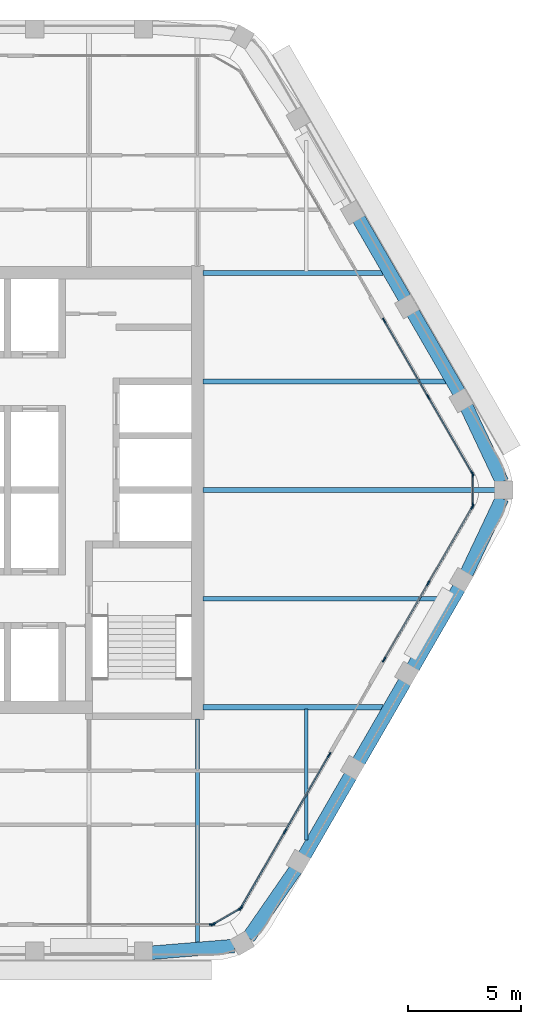
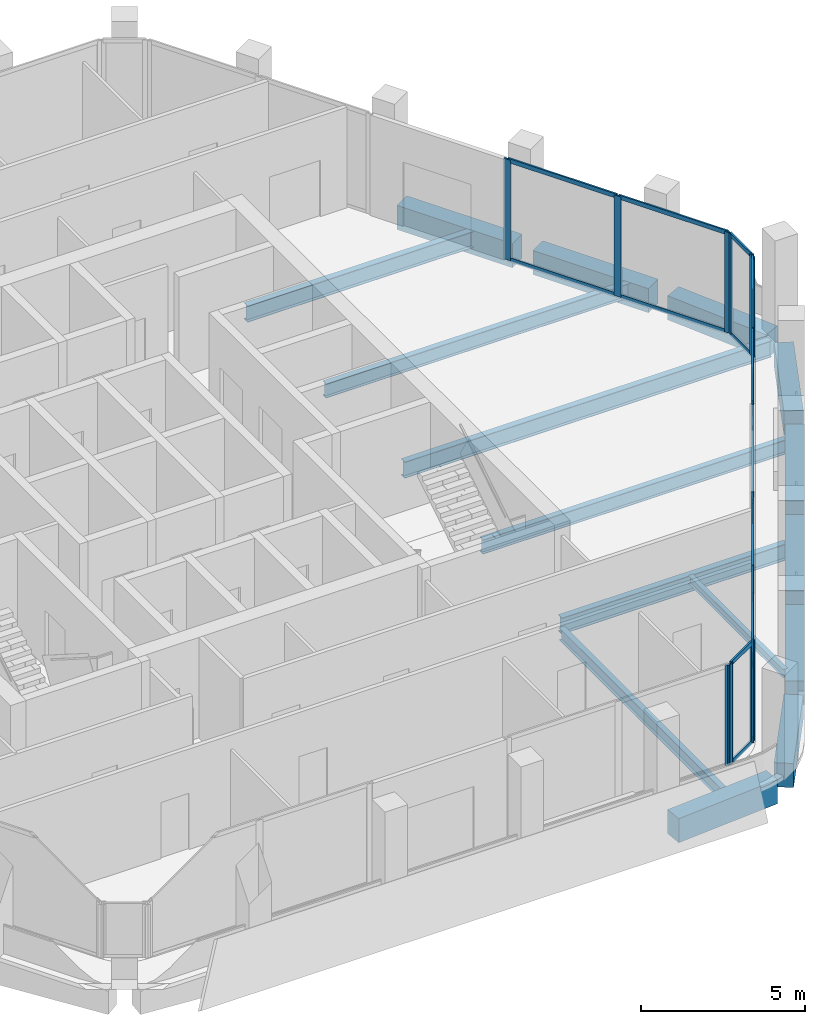
# One storey, part 4 of 14: 30 members, 16 beams, 6 elements without a shape of their own.
"""IFC4 building model written with IfcOpenShell, lengths in metres."""

from ifc_helpers import new_model, si_unit, direction, frame, origin, origin_2d, place, context, subcontext, project, spatial, rectangle, i_section, extrude, material, material_profile, profile_set, type_object, element, aggregate, save


model = new_model("IFC4")

# Units and contexts
model_context = context("Model", 3, precision=1e-05, world=origin(), true_north=direction((0.0, 1.0)))
body_context = subcontext(model_context, "Body", "Model", "MODEL_VIEW")
ifc_project = project(units=[si_unit("LENGTHUNIT", "METRE"), si_unit("AREAUNIT", "SQUARE_METRE"), si_unit("VOLUMEUNIT", "CUBIC_METRE"), si_unit("PLANEANGLEUNIT", "RADIAN"), si_unit("MASSUNIT", "GRAM", prefix="KILO")], contexts=[model_context])

# Site, building, storey
site_placement = place(None, origin())
site = spatial("IfcSite", under=ifc_project, at=site_placement, CompositionType="ELEMENT")
building_placement = place(site_placement, origin())
building = spatial("IfcBuilding", under=site, at=building_placement, Name="Kolab Exchange Tower", CompositionType="ELEMENT")
storey_placement = place(building_placement, frame((0.0, 0.0, 246.199951171875)))
storey = spatial("IfcBuildingStorey", under=building, at=storey_placement, Name="L54", CompositionType="ELEMENT", Elevation=246.199951171875)

# Beams
ifc_material_1 = material(Name="Steel S355", Category="steel")
ifc_material_profile_1 = material_profile(ifc_material_1, i_section(OverallWidth=0.1650390625, OverallDepth=0.31005859375, WebThickness=0.005859375, FlangeThickness=0.009765625, at=origin_2d()), Name="W310X39")
ifc_profile_set_1 = profile_set([ifc_material_profile_1], Name="Steel S355")
beam_type_1 = type_object("IfcBeamType", Name="FLOOR BEAM W310X39", PredefinedType="BEAM", material=ifc_profile_set_1)
beam_1_placement = place(storey_placement, frame((14.39990234375, -15.4677734375, -0.304931640625), z_axis=(0.0, 1.0, 0.0), x_axis=(-1.0, 0.0, 0.0)))
element("IfcBeam", 1, at=beam_1_placement, inside=storey, type_object=beam_type_1, Name="beam/L54/fr/018", PredefinedType="BEAM", context=body_context, shape_type="SweptSolid", body=[
    extrude(i_section(OverallWidth=0.1650390625, OverallDepth=0.31005859375, WebThickness=0.005859375, FlangeThickness=0.009765625, at=origin_2d()), origin(), (0.0, 0.0, 1.0), 5.793701171875),
])
ifc_material_profile_2 = material_profile(ifc_material_1, i_section(OverallWidth=0.18994140625, OverallDepth=0.45703125, WebThickness=0.009033203125, FlangeThickness=0.014404296875, at=origin_2d()), Name="W460X74")
ifc_profile_set_2 = profile_set([ifc_material_profile_2], Name="Steel S355")
beam_type_2 = type_object("IfcBeamType", Name="FLOOR BEAM W460X74", PredefinedType="BEAM", material=ifc_profile_set_2)
beam_2_placement = place(storey_placement, frame((9.60009765625, -20.027099609375, -0.37841796875), z_axis=(0.0, 1.0, 0.0), x_axis=(-1.0, 0.0, 0.0)))
element("IfcBeam", 2, at=beam_2_placement, inside=storey, type_object=beam_type_2, Name="beam/L54/fr/013", PredefinedType="BEAM", context=body_context, shape_type="SweptSolid", body=[
    extrude(i_section(OverallWidth=0.18994140625, OverallDepth=0.45703125, WebThickness=0.009033203125, FlangeThickness=0.014404296875, at=origin_2d()), origin(), (0.0, 0.0, 1.0), 9.9169921875),
])
ifc_material_profile_3 = material_profile(ifc_material_1, i_section(OverallWidth=0.208984375, OverallDepth=0.532958984375, WebThickness=0.01025390625, FlangeThickness=0.015625, at=origin_2d()), Name="W530X92")
ifc_profile_set_3 = profile_set([ifc_material_profile_3], Name="Steel S355")
beam_type_3 = type_object("IfcBeamType", Name="FLOOR BEAM W530X92", PredefinedType="BEAM", material=ifc_profile_set_3)
for number, where, z_axis, x_axis, name in (
    (3, (9.8349609375, -4.800048828125, -0.41650390625), (1.0, 0.0, 0.0), (0.0, 1.0, 0.0), "beam/L54/fr/015"),
    (4, (9.8349609375, 4.800048828125, -0.41650390625), (1.0, 0.0, 0.0), (0.0, 1.0, 0.0), "beam/L54/fr/017"),
):
    element("IfcBeam", number, at=place(storey_placement, frame(where, z_axis=z_axis, x_axis=x_axis)), inside=storey, type_object=beam_type_3, Name=name, PredefinedType="BEAM", context=body_context, shape_type="SweptSolid", body=[
        extrude(i_section(OverallWidth=0.208984375, OverallDepth=0.532958984375, WebThickness=0.01025390625, FlangeThickness=0.015625, at=origin_2d()), origin(), (0.0, 0.0, 1.0), 10.740966796875),
    ])
ifc_material_profile_4 = material_profile(ifc_material_1, i_section(OverallWidth=0.22802734375, OverallDepth=0.60791015625, WebThickness=0.01123046875, FlangeThickness=0.017333984375, at=origin_2d()), Name="W610X113")
ifc_profile_set_4 = profile_set([ifc_material_profile_4], Name="Steel S355")
beam_type_4 = type_object("IfcBeamType", Name="FLOOR BEAM W610X113", PredefinedType="BEAM", material=ifc_profile_set_4)
beam_3_placement = place(storey_placement, frame((9.8349609375, 0.0, -0.453857421875), z_axis=(1.0, 0.0, 0.0), x_axis=(0.0, 1.0, 0.0)))
element("IfcBeam", 5, at=beam_3_placement, inside=storey, type_object=beam_type_4, Name="beam/L54/fr/016", PredefinedType="BEAM", context=body_context, shape_type="SweptSolid", body=[
    extrude(i_section(OverallWidth=0.22802734375, OverallDepth=0.60791015625, WebThickness=0.01123046875, FlangeThickness=0.017333984375, at=origin_2d()), origin(), (0.0, 0.0, 1.0), 12.94091796875),
])
ifc_material_profile_5 = material_profile(ifc_material_1, i_section(OverallWidth=0.22802734375, OverallDepth=0.60791015625, WebThickness=0.01123046875, FlangeThickness=0.017333984375, at=origin_2d()), Name="W610X113")
ifc_profile_set_5 = profile_set([ifc_material_profile_5], Name="Steel S355")
beam_type_5 = type_object("IfcBeamType", Name="FLOOR GIRDER W610X113", PredefinedType="BEAM", material=ifc_profile_set_5)
for number, where, z_axis, x_axis, name in (
    (6, (9.8349609375, -9.60009765625, -0.453857421875), (1.0, 0.0, 0.0), (0.0, 1.0, 0.0), "beam/L54/gd/002"),
    (7, (9.8349609375, 9.60009765625, -0.453857421875), (1.0, 0.0, 0.0), (0.0, 1.0, 0.0), "beam/L54/gd/003"),
):
    element("IfcBeam", number, at=place(storey_placement, frame(where, z_axis=z_axis, x_axis=x_axis)), inside=storey, type_object=beam_type_5, Name=name, PredefinedType="BEAM", context=body_context, shape_type="SweptSolid", body=[
        extrude(i_section(OverallWidth=0.22802734375, OverallDepth=0.60791015625, WebThickness=0.01123046875, FlangeThickness=0.017333984375, at=origin_2d()), origin(), (0.0, 0.0, 1.0), 7.9697265625),
    ])
ifc_material_2 = material(Name="Concrete C50/60", Category="concrete")
ifc_material_profile_6 = material_profile(ifc_material_2, rectangle(XDim=0.60009765625, YDim=0.89990234375, at=origin_2d()), Name="RC600X900")
ifc_profile_set_6 = profile_set([ifc_material_profile_6], Name="Concrete C50/60")
beam_type_6 = type_object("IfcBeamType", Name="SPANDREL BEAM 600X900 C50/60", PredefinedType="BEAM", material=ifc_profile_set_6)
for number, where, z_axis, x_axis, name in (
    (8, (16.72021484375, 12.009033203125, -0.599853515625), (0.500000428765, -0.866025156237, 0.0), (0.866025156237, 0.500000428765, 0.0), "beam/L54/sp/F2-03"),
    (9, (19.1201171875, 7.85205078125, -0.599853515625), (0.500000428765, -0.866025156237, 0.0), (0.866025156237, 0.500000428765, 0.0), "beam/L54/sp/F2-04"),
):
    element("IfcBeam", number, at=place(storey_placement, frame(where, z_axis=z_axis, x_axis=x_axis)), inside=storey, type_object=beam_type_6, Name=name, PredefinedType="BEAM", context=body_context, shape_type="SweptSolid", body=[
        extrude(rectangle(XDim=0.60009765625, YDim=0.89990234375, at=origin_2d()), origin(), (0.0, 0.0, 1.0), 4.080078125),
    ])
for number, where, z_axis, x_axis, name in (
    (10, (21.49462890625, 3.68017578125, -0.599853515625), (0.427677251998, -0.903931506323, 0.0), (0.903931506323, 0.427677251998, 0.0), "beam/L54/sp/F2-05"),
    (11, (23.063720703125, -0.36376953125, -0.599853515625), (-0.427677251998, -0.903931506323, 0.0), (0.903931506323, -0.427677251998, 0.0), "beam/L54/sp/F3-01"),
):
    element("IfcBeam", number, at=place(storey_placement, frame(where, z_axis=z_axis, x_axis=x_axis)), inside=storey, type_object=beam_type_6, Name=name, PredefinedType="BEAM", context=body_context, shape_type="SweptSolid", body=[
        extrude(rectangle(XDim=0.60009765625, YDim=0.89990234375, at=origin_2d()), origin(), (0.0, 0.0, 1.0), 3.6689453125),
    ])
for number, where, z_axis, x_axis, name in (
    (12, (21.16015625, -4.318603515625, -0.599853515625), (-0.500000428765, -0.866025156237, 0.0), (0.866025156237, -0.500000428765, 0.0), "beam/L54/sp/F3-02"),
    (13, (18.76025390625, -8.4755859375, -0.599853515625), (-0.500000428765, -0.866025156237, 0.0), (0.866025156237, -0.500000428765, 0.0), "beam/L54/sp/F3-03"),
):
    element("IfcBeam", number, at=place(storey_placement, frame(where, z_axis=z_axis, x_axis=x_axis)), inside=storey, type_object=beam_type_6, Name=name, PredefinedType="BEAM", context=body_context, shape_type="SweptSolid", body=[
        extrude(rectangle(XDim=0.60009765625, YDim=0.89990234375, at=origin_2d()), origin(), (0.0, 0.0, 1.0), 4.080078125),
    ])
beam_4_placement = place(storey_placement, frame((16.360107421875, -12.632568359375, -0.599853515625), z_axis=(-0.499955548806, -0.866051066172, 0.0), x_axis=(0.866051066172, -0.499955548806, 0.0)))
element("IfcBeam", 14, at=beam_4_placement, inside=storey, type_object=beam_type_6, Name="beam/L54/sp/F3-04", PredefinedType="BEAM", context=body_context, shape_type="SweptSolid", body=[
    extrude(rectangle(XDim=0.60009765625, YDim=0.89990234375, at=origin_2d()), origin(), (0.0, 0.0, 1.0), 4.079833984375),
])
for number, where, z_axis, x_axis, name in (
    (15, (13.9345703125, -16.77490234375, -0.599853515625), (-0.569005808573, -0.822333502789, 0.0), (0.822333502789, -0.569005808573, 0.0), "beam/L54/sp/F3-05"),
    (16, (11.216796875, -20.15576171875, -0.599853515625), (-0.996666751878, -0.081580547323, 0.0), (0.081580547323, -0.996666751878, 0.0), "beam/L54/sp/F4-01"),
):
    element("IfcBeam", number, at=place(storey_placement, frame(where, z_axis=z_axis, x_axis=x_axis)), inside=storey, type_object=beam_type_6, Name=name, PredefinedType="BEAM", context=body_context, shape_type="SweptSolid", body=[
        extrude(rectangle(XDim=0.60009765625, YDim=0.89990234375, at=origin_2d()), origin(), (0.0, 0.0, 1.0), 3.6689453125),
    ])

# Curtain wall, members
ifc_material_3 = material(Name="Aluminium EN AW-6063 T6", Category="aluminium")
curtain_wall_type = type_object("IfcCurtainWallType", Name="UNITISED HIGH ZONE CURTAIN WALL", PredefinedType="NOTDEFINED", material=ifc_material_3)
curtain_wall_1_placement = place(storey_placement, origin())
curtain_wall_1 = element("IfcCurtainWall", 17, at=curtain_wall_1_placement, inside=storey, type_object=curtain_wall_type, Name="cw/L54/F2-2", PredefinedType="NOTDEFINED")
ifc_material_profile_7 = material_profile(ifc_material_3, rectangle(XDim=0.06005859375, YDim=0.239990234375, at=origin_2d()), Name="RECT 60X240")
ifc_profile_set_7 = profile_set([ifc_material_profile_7], Name="Aluminium EN AW-6063 T6")
member_type_1 = type_object("IfcMemberType", Name="UNITISED HIGH ZONE MULLION 60 X 240", PredefinedType="MULLION", material=ifc_profile_set_7)
member_1_placement = place(storey_placement, frame((17.8466796875, 7.497802734375, 0.0), z_axis=(0.0, 0.0, 1.0), x_axis=(0.866025440524, 0.499999936366, 0.0)))
member_1 = element("IfcMember", 18, at=member_1_placement, type_object=member_type_1, Name="CW4 mullion 1", PredefinedType="MULLION", context=body_context, shape_type="SweptSolid", body=[
    extrude(rectangle(XDim=0.06005859375, YDim=0.239990234375, at=origin_2d()), origin(), (0.0, 0.0, 1.0), 3.75),
])
member_2_placement = place(storey_placement, frame((19.798583984375, 4.116943359375, 0.0), z_axis=(0.0, 0.0, 1.0), x_axis=(0.866025440524, 0.499999936366, 0.0)))
member_2 = element("IfcMember", 19, at=member_2_placement, type_object=member_type_1, Name="CW4 mullion 2", PredefinedType="MULLION", context=body_context, shape_type="SweptSolid", body=[
    extrude(rectangle(XDim=0.06005859375, YDim=0.239990234375, at=origin_2d()), origin(), (0.0, 0.0, 1.0), 3.75),
])
member_3_placement = place(storey_placement, frame((21.750732421875, 0.736083984375, 0.0), z_axis=(0.0, 0.0, 1.0), x_axis=(0.866025440524, 0.499999936366, 0.0)))
member_3 = element("IfcMember", 20, at=member_3_placement, type_object=member_type_1, Name="CW4 mullion 3", PredefinedType="MULLION", context=body_context, shape_type="SweptSolid", body=[
    extrude(rectangle(XDim=0.06005859375, YDim=0.239990234375, at=origin_2d()), origin(), (0.0, 0.0, 1.0), 3.75),
])

curtain_wall_2_placement = place(storey_placement, origin())
curtain_wall_2 = element("IfcCurtainWall", 21, at=curtain_wall_2_placement, inside=storey, type_object=curtain_wall_type, Name="cw/L54/F3-1", PredefinedType="NOTDEFINED")
member_4_placement = place(storey_placement, frame((21.750732421875, -0.736083984375, 0.0), z_axis=(0.0, 0.0, 1.0), x_axis=(0.866025440524, -0.499999936366, 0.0)))
member_4 = element("IfcMember", 22, at=member_4_placement, type_object=member_type_1, Name="CW4 mullion 1", PredefinedType="MULLION", context=body_context, shape_type="SweptSolid", body=[
    extrude(rectangle(XDim=0.06005859375, YDim=0.239990234375, at=origin_2d()), origin(), (0.0, 0.0, 1.0), 3.75),
])
member_5_placement = place(storey_placement, frame((19.798583984375, -4.116943359375, 0.0), z_axis=(0.0, 0.0, 1.0), x_axis=(0.866025440524, -0.499999936366, 0.0)))
member_5 = element("IfcMember", 23, at=member_5_placement, type_object=member_type_1, Name="CW4 mullion 2", PredefinedType="MULLION", context=body_context, shape_type="SweptSolid", body=[
    extrude(rectangle(XDim=0.06005859375, YDim=0.239990234375, at=origin_2d()), origin(), (0.0, 0.0, 1.0), 3.75),
])
member_6_placement = place(storey_placement, frame((17.8466796875, -7.497802734375, 0.0), z_axis=(0.0, 0.0, 1.0), x_axis=(0.866025440524, -0.499999936366, 0.0)))
member_6 = element("IfcMember", 24, at=member_6_placement, type_object=member_type_1, Name="CW4 mullion 3", PredefinedType="MULLION", context=body_context, shape_type="SweptSolid", body=[
    extrude(rectangle(XDim=0.06005859375, YDim=0.239990234375, at=origin_2d()), origin(), (0.0, 0.0, 1.0), 3.75),
])

curtain_wall_3_placement = place(storey_placement, origin())
curtain_wall_3 = element("IfcCurtainWall", 25, at=curtain_wall_3_placement, inside=storey, type_object=curtain_wall_type, Name="cw/L54/F3-2", PredefinedType="NOTDEFINED")
member_7_placement = place(storey_placement, frame((15.416748046875, -11.706787109375, 0.0), z_axis=(0.0, 0.0, 1.0), x_axis=(0.866025385493, -0.500000031681, 0.0)))
member_7 = element("IfcMember", 26, at=member_7_placement, type_object=member_type_1, Name="CW4 mullion 1", PredefinedType="MULLION", context=body_context, shape_type="SweptSolid", body=[
    extrude(rectangle(XDim=0.06005859375, YDim=0.239990234375, at=origin_2d()), origin(), (0.0, 0.0, 1.0), 3.75),
])
member_8_placement = place(storey_placement, frame((13.464599609375, -15.087646484375, 0.0), z_axis=(0.0, 0.0, 1.0), x_axis=(0.866025385493, -0.500000031681, 0.0)))
member_8 = element("IfcMember", 27, at=member_8_placement, type_object=member_type_1, Name="CW4 mullion 2", PredefinedType="MULLION", context=body_context, shape_type="SweptSolid", body=[
    extrude(rectangle(XDim=0.06005859375, YDim=0.239990234375, at=origin_2d()), origin(), (0.0, 0.0, 1.0), 3.75),
])
member_9_placement = place(storey_placement, frame((11.5126953125, -18.46875, 0.0), z_axis=(0.0, 0.0, 1.0), x_axis=(0.866025385493, -0.500000031681, 0.0)))
member_9 = element("IfcMember", 28, at=member_9_placement, type_object=member_type_1, Name="CW4 mullion 3", PredefinedType="MULLION", context=body_context, shape_type="SweptSolid", body=[
    extrude(rectangle(XDim=0.06005859375, YDim=0.239990234375, at=origin_2d()), origin(), (0.0, 0.0, 1.0), 3.75),
])

# Curtain wall, member
curtain_wall_4_placement = place(storey_placement, origin())
curtain_wall_4 = element("IfcCurtainWall", 29, at=curtain_wall_4_placement, inside=storey, type_object=curtain_wall_type, Name="cw/L54/F4-1", PredefinedType="NOTDEFINED")
member_10_placement = place(storey_placement, frame((10.238037109375, -19.20458984375, 0.0), z_axis=(0.0, 0.0, 1.0), x_axis=(0.0, -1.0, 0.0)))
member_10 = element("IfcMember", 30, at=member_10_placement, type_object=member_type_1, Name="CW4 mullion 1", PredefinedType="MULLION", context=body_context, shape_type="SweptSolid", body=[
    extrude(rectangle(XDim=0.06005859375, YDim=0.239990234375, at=origin_2d()), origin(), (0.0, 0.0, 1.0), 3.75),
])
aggregate(curtain_wall_4, [member_10])

# Curtain wall, members
curtain_wall_5_placement = place(storey_placement, origin())
curtain_wall_5 = element("IfcCurtainWall", 31, at=curtain_wall_5_placement, inside=storey, type_object=curtain_wall_type, Name="cw/L54/F2F3-corner", PredefinedType="NOTDEFINED")
member_11_placement = place(storey_placement, frame((21.765625, 0.679931640625, 0.0), z_axis=(0.0, 0.0, 1.0), x_axis=(1.0, 0.0, 0.0)))
member_11 = element("IfcMember", 32, at=member_11_placement, type_object=member_type_1, Name="CW4 mullion 1", PredefinedType="MULLION", context=body_context, shape_type="SweptSolid", body=[
    extrude(rectangle(XDim=0.06005859375, YDim=0.239990234375, at=origin_2d()), origin(), (0.0, 0.0, 1.0), 3.75),
])
member_12_placement = place(storey_placement, frame((21.765625, -0.679931640625, 0.0), z_axis=(0.0, 0.0, 1.0), x_axis=(1.0, 0.0, 0.0)))
member_12 = element("IfcMember", 33, at=member_12_placement, type_object=member_type_1, Name="CW4 mullion 2", PredefinedType="MULLION", context=body_context, shape_type="SweptSolid", body=[
    extrude(rectangle(XDim=0.06005859375, YDim=0.239990234375, at=origin_2d()), origin(), (0.0, 0.0, 1.0), 3.75),
])

curtain_wall_6_placement = place(storey_placement, origin())
curtain_wall_6 = element("IfcCurtainWall", 34, at=curtain_wall_6_placement, inside=storey, type_object=curtain_wall_type, Name="cw/L54/F3F4-corner", PredefinedType="NOTDEFINED")
member_13_placement = place(storey_placement, frame((11.4716796875, -18.509521484375, 0.0), z_axis=(0.0, 0.0, 1.0), x_axis=(0.50000002237, -0.866025390869, 0.0)))
member_13 = element("IfcMember", 35, at=member_13_placement, type_object=member_type_1, Name="CW4 mullion 1", PredefinedType="MULLION", context=body_context, shape_type="SweptSolid", body=[
    extrude(rectangle(XDim=0.06005859375, YDim=0.239990234375, at=origin_2d()), origin(), (0.0, 0.0, 1.0), 3.75),
])
member_14_placement = place(storey_placement, frame((10.2939453125, -19.189697265625, 0.0), z_axis=(0.0, 0.0, 1.0), x_axis=(0.50000002237, -0.866025390869, 0.0)))
member_14 = element("IfcMember", 36, at=member_14_placement, type_object=member_type_1, Name="CW4 mullion 2", PredefinedType="MULLION", context=body_context, shape_type="SweptSolid", body=[
    extrude(rectangle(XDim=0.06005859375, YDim=0.239990234375, at=origin_2d()), origin(), (0.0, 0.0, 1.0), 3.75),
])

# Member
ifc_material_profile_8 = material_profile(ifc_material_3, rectangle(XDim=0.06005859375, YDim=0.159912109375, at=origin_2d()), Name="RECT 60X160")
ifc_profile_set_8 = profile_set([ifc_material_profile_8], Name="Aluminium EN AW-6063 T6")
member_type_2 = type_object("IfcMemberType", Name="UNITISED HIGH ZONE TRANSOM 60 X 160", PredefinedType="USERDEFINED", material=ifc_profile_set_8)
member_15_placement = place(storey_placement, frame((17.861572265625, 7.471923828125, 0.030029296875), z_axis=(0.500011990396, -0.866018481016, 0.0), x_axis=(0.866018481016, 0.500011990396, 0.0)))
member_15 = element("IfcMember", 37, at=member_15_placement, type_object=member_type_2, Name="CW4 transom 1.1", ObjectType="TRANSOM", PredefinedType="USERDEFINED", context=body_context, shape_type="SweptSolid", body=[
    extrude(rectangle(XDim=0.06005859375, YDim=0.159912109375, at=origin_2d()), origin(), (0.0, 0.0, 1.0), 3.84423828125),
])

member_16_placement = place(storey_placement, frame((17.861572265625, 7.471923828125, 3.719970703125), z_axis=(0.500011990396, -0.866018481016, 0.0), x_axis=(0.866018481016, 0.500011990396, 0.0)))
member_16 = element("IfcMember", 38, at=member_16_placement, type_object=member_type_2, Name="CW4 transom 1.2", ObjectType="TRANSOM", PredefinedType="USERDEFINED", context=body_context, shape_type="SweptSolid", body=[
    extrude(rectangle(XDim=0.06005859375, YDim=0.159912109375, at=origin_2d()), origin(), (0.0, 0.0, 1.0), 3.84423828125),
])

member_17_placement = place(storey_placement, frame((19.813720703125, 4.0908203125, 0.030029296875), z_axis=(0.499991857942, -0.866030104553, 0.0), x_axis=(0.866030104553, 0.499991857942, 0.0)))
member_17 = element("IfcMember", 39, at=member_17_placement, type_object=member_type_2, Name="CW4 transom 2.1", ObjectType="TRANSOM", PredefinedType="USERDEFINED", context=body_context, shape_type="SweptSolid", body=[
    extrude(rectangle(XDim=0.06005859375, YDim=0.159912109375, at=origin_2d()), origin(), (0.0, 0.0, 1.0), 3.84375),
])

member_18_placement = place(storey_placement, frame((19.813720703125, 4.0908203125, 3.719970703125), z_axis=(0.499991857942, -0.866030104553, 0.0), x_axis=(0.866030104553, 0.499991857942, 0.0)))
member_18 = element("IfcMember", 40, at=member_18_placement, type_object=member_type_2, Name="CW4 transom 2.2", ObjectType="TRANSOM", PredefinedType="USERDEFINED", context=body_context, shape_type="SweptSolid", body=[
    extrude(rectangle(XDim=0.06005859375, YDim=0.159912109375, at=origin_2d()), origin(), (0.0, 0.0, 1.0), 3.84375),
])

aggregate(curtain_wall_1, [member_1, member_2, member_3, member_15, member_16, member_17, member_18])

member_19_placement = place(storey_placement, frame((21.735595703125, -0.761962890625, 0.030029296875), z_axis=(-0.499991857942, -0.866030104553, 0.0), x_axis=(0.866030104553, -0.499991857942, 0.0)))
member_19 = element("IfcMember", 41, at=member_19_placement, type_object=member_type_2, Name="CW4 transom 1.1", ObjectType="TRANSOM", PredefinedType="USERDEFINED", context=body_context, shape_type="SweptSolid", body=[
    extrude(rectangle(XDim=0.06005859375, YDim=0.159912109375, at=origin_2d()), origin(), (0.0, 0.0, 1.0), 3.84375),
])

member_20_placement = place(storey_placement, frame((21.735595703125, -0.761962890625, 3.719970703125), z_axis=(-0.499991857942, -0.866030104553, 0.0), x_axis=(0.866030104553, -0.499991857942, 0.0)))
member_20 = element("IfcMember", 42, at=member_20_placement, type_object=member_type_2, Name="CW4 transom 1.2", ObjectType="TRANSOM", PredefinedType="USERDEFINED", context=body_context, shape_type="SweptSolid", body=[
    extrude(rectangle(XDim=0.06005859375, YDim=0.159912109375, at=origin_2d()), origin(), (0.0, 0.0, 1.0), 3.84375),
])

member_21_placement = place(storey_placement, frame((19.78369140625, -4.142822265625, 0.030029296875), z_axis=(-0.500011990396, -0.866018481016, 0.0), x_axis=(0.866018481016, -0.500011990396, 0.0)))
member_21 = element("IfcMember", 43, at=member_21_placement, type_object=member_type_2, Name="CW4 transom 2.1", ObjectType="TRANSOM", PredefinedType="USERDEFINED", context=body_context, shape_type="SweptSolid", body=[
    extrude(rectangle(XDim=0.06005859375, YDim=0.159912109375, at=origin_2d()), origin(), (0.0, 0.0, 1.0), 3.84423828125),
])

member_22_placement = place(storey_placement, frame((19.78369140625, -4.142822265625, 3.719970703125), z_axis=(-0.500011990396, -0.866018481016, 0.0), x_axis=(0.866018481016, -0.500011990396, 0.0)))
member_22 = element("IfcMember", 44, at=member_22_placement, type_object=member_type_2, Name="CW4 transom 2.2", ObjectType="TRANSOM", PredefinedType="USERDEFINED", context=body_context, shape_type="SweptSolid", body=[
    extrude(rectangle(XDim=0.06005859375, YDim=0.159912109375, at=origin_2d()), origin(), (0.0, 0.0, 1.0), 3.84423828125),
])

aggregate(curtain_wall_2, [member_4, member_5, member_6, member_19, member_20, member_21, member_22])

member_23_placement = place(storey_placement, frame((15.401611328125, -11.732666015625, 0.030029296875), z_axis=(-0.499964356602, -0.866045981532, 0.0), x_axis=(0.866045981532, -0.499964356602, 0.0)))
member_23 = element("IfcMember", 45, at=member_23_placement, type_object=member_type_2, Name="CW4 transom 1.1", ObjectType="TRANSOM", PredefinedType="USERDEFINED", context=body_context, shape_type="SweptSolid", body=[
    extrude(rectangle(XDim=0.06005859375, YDim=0.159912109375, at=origin_2d()), origin(), (0.0, 0.0, 1.0), 3.843994140625),
])

member_24_placement = place(storey_placement, frame((15.401611328125, -11.732666015625, 3.719970703125), z_axis=(-0.499964356602, -0.866045981532, 0.0), x_axis=(0.866045981532, -0.499964356602, 0.0)))
member_24 = element("IfcMember", 46, at=member_24_placement, type_object=member_type_2, Name="CW4 transom 1.2", ObjectType="TRANSOM", PredefinedType="USERDEFINED", context=body_context, shape_type="SweptSolid", body=[
    extrude(rectangle(XDim=0.06005859375, YDim=0.159912109375, at=origin_2d()), origin(), (0.0, 0.0, 1.0), 3.843994140625),
])

member_25_placement = place(storey_placement, frame((13.44970703125, -15.11376953125, 0.030029296875), z_axis=(-0.500039492609, -0.866002601515, 0.0), x_axis=(0.866002601515, -0.500039492609, 0.0)))
member_25 = element("IfcMember", 47, at=member_25_placement, type_object=member_type_2, Name="CW4 transom 2.1", ObjectType="TRANSOM", PredefinedType="USERDEFINED", context=body_context, shape_type="SweptSolid", body=[
    extrude(rectangle(XDim=0.06005859375, YDim=0.159912109375, at=origin_2d()), origin(), (0.0, 0.0, 1.0), 3.843994140625),
])

member_26_placement = place(storey_placement, frame((13.44970703125, -15.11376953125, 3.719970703125), z_axis=(-0.500039492609, -0.866002601515, 0.0), x_axis=(0.866002601515, -0.500039492609, 0.0)))
member_26 = element("IfcMember", 48, at=member_26_placement, type_object=member_type_2, Name="CW4 transom 2.2", ObjectType="TRANSOM", PredefinedType="USERDEFINED", context=body_context, shape_type="SweptSolid", body=[
    extrude(rectangle(XDim=0.06005859375, YDim=0.159912109375, at=origin_2d()), origin(), (0.0, 0.0, 1.0), 3.843994140625),
])

aggregate(curtain_wall_3, [member_7, member_8, member_9, member_23, member_24, member_25, member_26])

member_27_placement = place(storey_placement, frame((21.765625, 0.64990234375, 0.030029296875), z_axis=(0.0, -1.0, 0.0), x_axis=(1.0, 0.0, 0.0)))
member_27 = element("IfcMember", 49, at=member_27_placement, type_object=member_type_2, Name="CW4 transom 1.1", ObjectType="TRANSOM", PredefinedType="USERDEFINED", context=body_context, shape_type="SweptSolid", body=[
    extrude(rectangle(XDim=0.06005859375, YDim=0.159912109375, at=origin_2d()), origin(), (0.0, 0.0, 1.0), 1.2998046875),
])

member_28_placement = place(storey_placement, frame((21.765625, 0.64990234375, 3.719970703125), z_axis=(0.0, -1.0, 0.0), x_axis=(1.0, 0.0, 0.0)))
member_28 = element("IfcMember", 50, at=member_28_placement, type_object=member_type_2, Name="CW4 transom 1.2", ObjectType="TRANSOM", PredefinedType="USERDEFINED", context=body_context, shape_type="SweptSolid", body=[
    extrude(rectangle(XDim=0.06005859375, YDim=0.159912109375, at=origin_2d()), origin(), (0.0, 0.0, 1.0), 1.2998046875),
])

aggregate(curtain_wall_5, [member_11, member_12, member_27, member_28])

member_29_placement = place(storey_placement, frame((11.44580078125, -18.524658203125, 0.030029296875), z_axis=(-0.866085525409, -0.49989585183, 0.0), x_axis=(0.49989585183, -0.866085525409, 0.0)))
member_29 = element("IfcMember", 51, at=member_29_placement, type_object=member_type_2, Name="CW4 transom 1.1", ObjectType="TRANSOM", PredefinedType="USERDEFINED", context=body_context, shape_type="SweptSolid", body=[
    extrude(rectangle(XDim=0.06005859375, YDim=0.159912109375, at=origin_2d()), origin(), (0.0, 0.0, 1.0), 1.300048828125),
])

member_30_placement = place(storey_placement, frame((11.44580078125, -18.524658203125, 3.719970703125), z_axis=(-0.866085525409, -0.49989585183, 0.0), x_axis=(0.49989585183, -0.866085525409, 0.0)))
member_30 = element("IfcMember", 52, at=member_30_placement, type_object=member_type_2, Name="CW4 transom 1.2", ObjectType="TRANSOM", PredefinedType="USERDEFINED", context=body_context, shape_type="SweptSolid", body=[
    extrude(rectangle(XDim=0.06005859375, YDim=0.159912109375, at=origin_2d()), origin(), (0.0, 0.0, 1.0), 1.300048828125),
])

aggregate(curtain_wall_6, [member_13, member_14, member_29, member_30])

save(model, "model.ifc")
